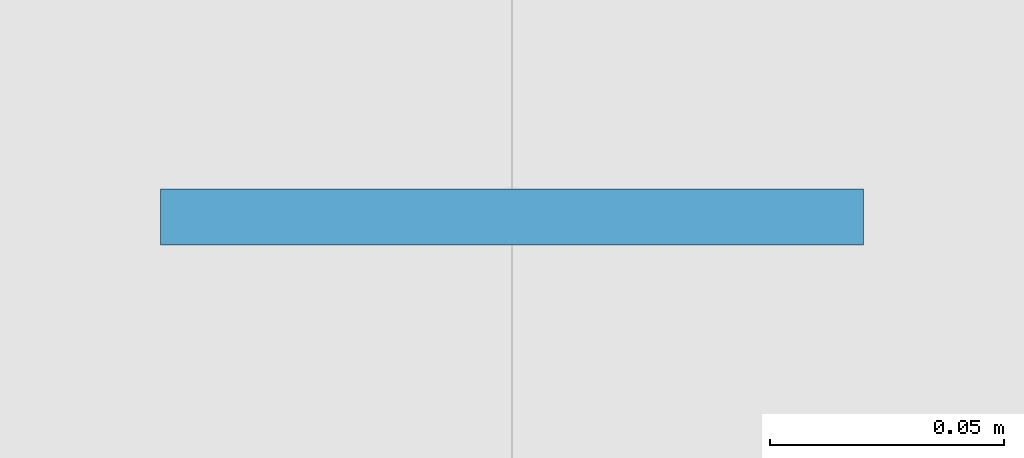
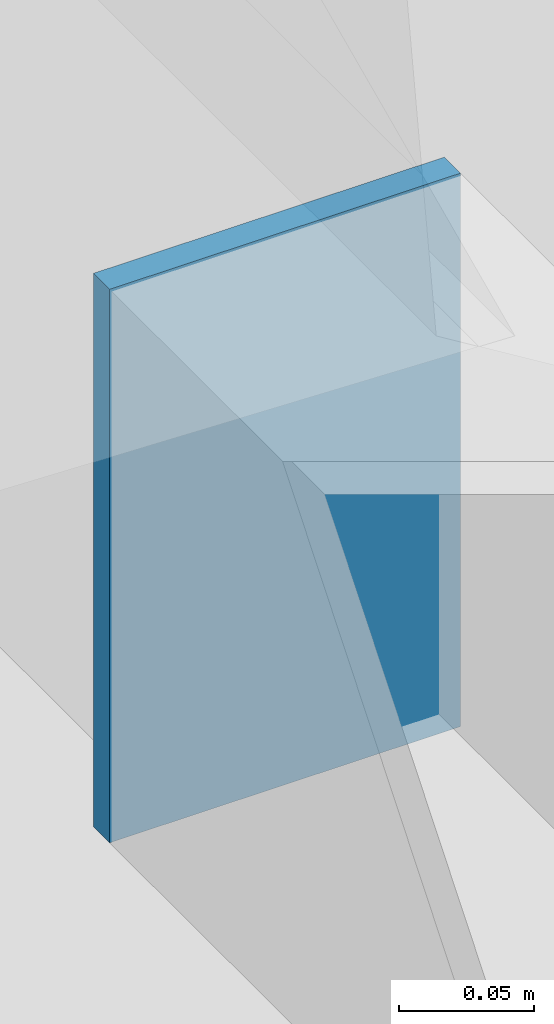
# One storey, part 25 of 35: 1 plate.
"""IFC4 building model written with IfcOpenShell, lengths in metres."""

from ifc_helpers import new_model, si_unit, direction, frame, origin, origin_2d, place, context, subcontext, project, spatial, rectangle, extrude, material, layer, layer_set, type_object, element, save


model = new_model("IFC4")

# Units and contexts
model_context = context("Model", 3, precision=1e-05, world=origin(), true_north=direction((0.0, 1.0)))
body_context = subcontext(model_context, "Body", "Model", "MODEL_VIEW")
ifc_project = project(units=[si_unit("LENGTHUNIT", "METRE"), si_unit("AREAUNIT", "SQUARE_METRE"), si_unit("VOLUMEUNIT", "CUBIC_METRE"), si_unit("PLANEANGLEUNIT", "RADIAN"), si_unit("MASSUNIT", "GRAM", prefix="KILO")], contexts=[model_context])

# Site, building, storey
site_placement = place(None, origin())
site = spatial("IfcSite", under=ifc_project, at=site_placement, CompositionType="ELEMENT")
building_placement = place(site_placement, origin())
building = spatial("IfcBuilding", under=site, at=building_placement, Name="Vellmiral Cinema and Media Centre", CompositionType="ELEMENT")
storey_placement = place(building_placement, frame((0.0, 0.0, 15.60009765625)))
storey = spatial("IfcBuildingStorey", under=building, at=storey_placement, Name="L03", CompositionType="ELEMENT", Elevation=15.60009765625)

# Plate
ifc_material = material(Name="Steel S355", Category="steel")
ifc_layer = layer(ifc_material, 0.011962890625, Name="Steel S355")
ifc_layer_set = layer_set([ifc_layer], Name="Steel S355")
plate_type = type_object("IfcPlateType", Name="PLT-CAP-250", PredefinedType="SHEET", material=ifc_layer_set)
plate_placement = place(storey_placement, frame((70.39990234375, 84.20556640625, 5.98388671875), z_axis=(0.0, 0.0, 1.0), x_axis=(1.0, 0.0, 0.0)))
element("IfcPlate", 1, at=plate_placement, inside=storey, type_object=plate_type, Name="Roof Purlin VR-08E.3.2 End Cap Plate", PredefinedType="SHEET", context=body_context, shape_type="SweptSolid", body=[
    extrude(rectangle(XDim=0.14990234375, YDim=0.011962890625, at=origin_2d()), origin(), (0.0, 0.0, 1.0), 0.25),
])

save(model, "model.ifc")
